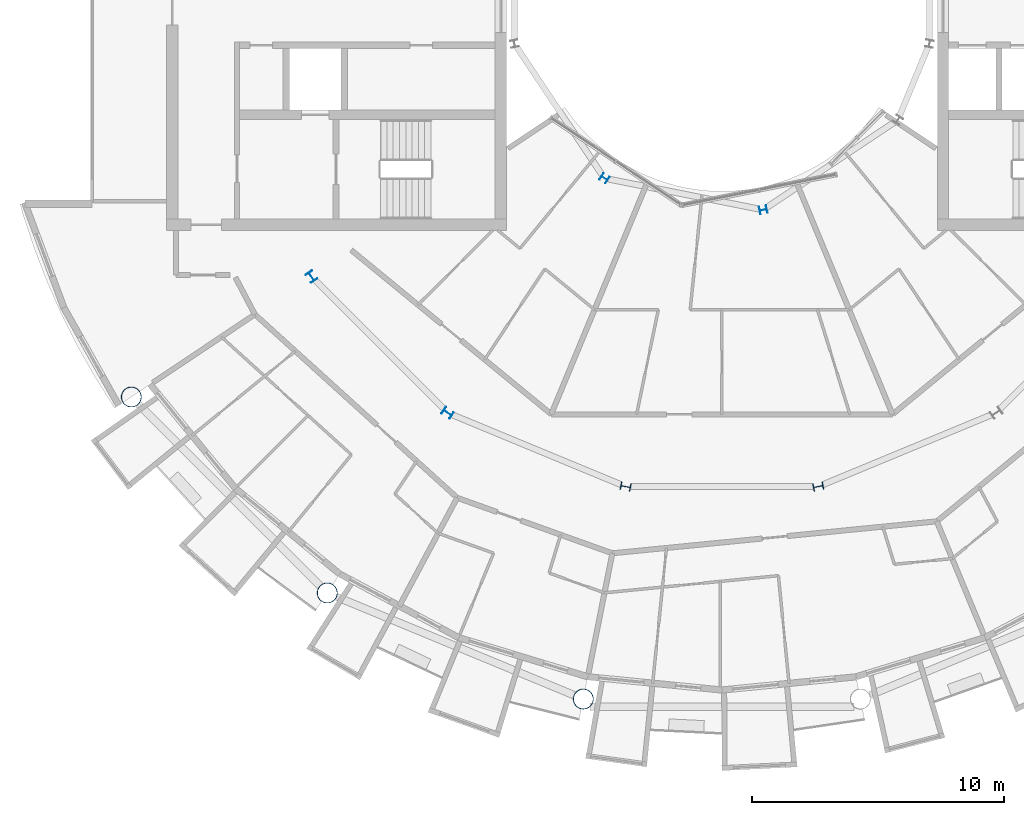
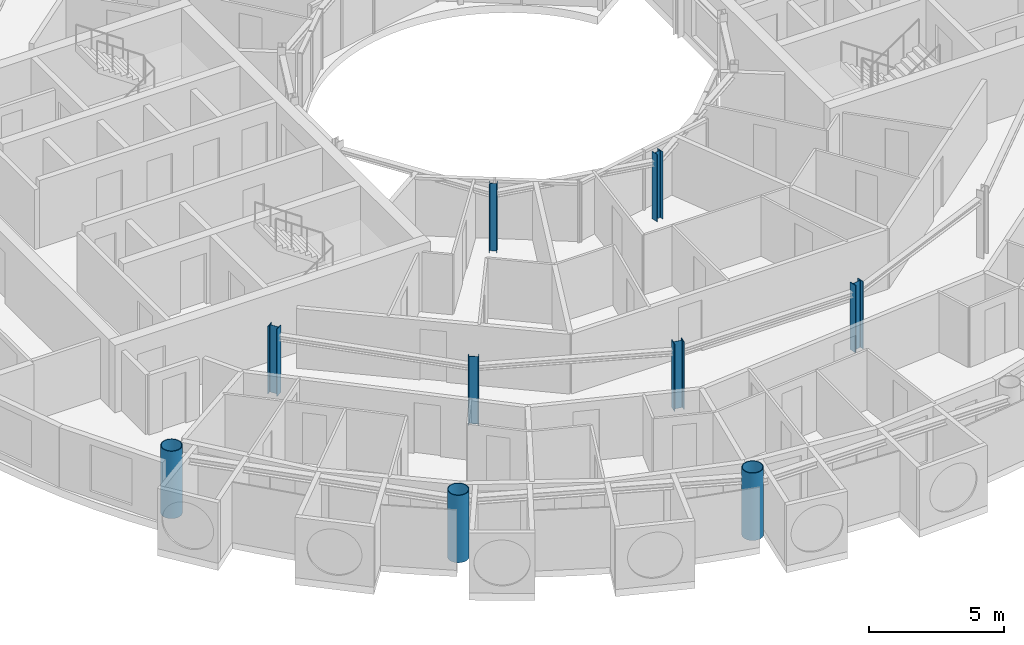
# One storey, part 1 of 29: 9 columns.
"""IFC4 building model written with IfcOpenShell, lengths in metres."""

from ifc_helpers import new_model, si_unit, direction, frame, origin, origin_2d, place, context, subcontext, project, spatial, hollow_circle, i_section, extrude, material, material_profile, profile_set, type_object, element, save


model = new_model("IFC4")

# Units and contexts
model_context = context("Model", 3, precision=1e-05, world=origin(), true_north=direction((0.0, 1.0)))
body_context = subcontext(model_context, "Body", "Model", "MODEL_VIEW")
ifc_project = project(units=[si_unit("LENGTHUNIT", "METRE"), si_unit("AREAUNIT", "SQUARE_METRE"), si_unit("VOLUMEUNIT", "CUBIC_METRE"), si_unit("PLANEANGLEUNIT", "RADIAN"), si_unit("MASSUNIT", "GRAM", prefix="KILO")], contexts=[model_context])

# Site, building, storey
site_placement = place(None, origin())
site = spatial("IfcSite", under=ifc_project, at=site_placement, CompositionType="ELEMENT")
building_placement = place(site_placement, origin())
building = spatial("IfcBuilding", under=site, at=building_placement, Name="Maasbend Ring Residences", CompositionType="ELEMENT")
storey_placement = place(building_placement, frame((0.0, 0.0, 202.39990234375)))
storey = spatial("IfcBuildingStorey", under=building, at=storey_placement, Name="L58", CompositionType="ELEMENT", Elevation=202.39990234375)

# Columns
ifc_material_1 = material(Name="Composite concrete-filled steel tube S460NH / C80/95", Category="concrete")
ifc_material_profile_1 = material_profile(ifc_material_1, hollow_circle(Radius=0.406494140625, WallThickness=0.030029296875, at=origin_2d()), Name="Composite tube column CHS 813x30")
ifc_profile_set_1 = profile_set([ifc_material_profile_1], Name="Composite concrete-filled steel tube S460NH / C80/95")
column_type_1 = type_object("IfcColumnType", Name="Composite tube column CHS 813x30", PredefinedType="COLUMN", material=ifc_profile_set_1)
for number, where, z_axis, x_axis, name in (
    (1, (-23.447509765625, -15.6669921875, 0.0), (0.0, 0.0, 1.0), (1.0, 0.0, 0.0), "Outer column R10"),
    (2, (-15.6669921875, -23.447509765625, 0.0), (0.0, 0.0, 1.0), (1.0, 0.0, 0.0), "Outer column R11"),
    (3, (-5.50146484375, -27.658203125, 0.0), (0.0, 0.0, 1.0), (1.0, 0.0, 0.0), "Outer column R12"),
):
    element("IfcColumn", number, at=place(storey_placement, frame(where, z_axis=z_axis, x_axis=x_axis)), inside=storey, type_object=column_type_1, Name=name, PredefinedType="COLUMN", context=body_context, shape_type="SweptSolid", body=[
        extrude(hollow_circle(Radius=0.406494140625, WallThickness=0.030029296875, at=origin_2d()), origin(), (0.0, 0.0, 1.0), 3.050048828125),
    ])
ifc_material_2 = material(Name="Steel S355J2", Category="steel")
ifc_material_profile_2 = material_profile(ifc_material_2, i_section(OverallWidth=0.300048828125, OverallDepth=0.2900390625, WebThickness=0.008544921875, FlangeThickness=0.013916015625, FilletRadius=0.027099609375, at=origin_2d()), Name="HEA 300")
ifc_profile_set_2 = profile_set([ifc_material_profile_2], Name="Steel S355J2")
column_type_2 = type_object("IfcColumnType", Name="Steel column HEA 300", PredefinedType="COLUMN", material=ifc_profile_set_2)
for number, where, z_axis, x_axis, name in (
    (4, (-4.666748046875, -6.984375, 0.0), (0.0, 0.0, 1.0), (-0.55557023302, -0.831469612303, 0.0), "Well ring column R11"),
    (5, (1.638916015625, -8.238525390625, 0.0), (0.0, 0.0, 1.0), (0.195090322016, -0.980785280403, 0.0), "Well ring column R13"),
):
    element("IfcColumn", number, at=place(storey_placement, frame(where, z_axis=z_axis, x_axis=x_axis)), inside=storey, type_object=column_type_2, Name=name, PredefinedType="COLUMN", context=body_context, shape_type="SweptSolid", body=[
        extrude(i_section(OverallWidth=0.300048828125, OverallDepth=0.2900390625, WebThickness=0.008544921875, FlangeThickness=0.013916015625, FilletRadius=0.027099609375, at=origin_2d()), origin(), (0.0, 0.0, 1.0), 3.050048828125),
    ])
ifc_material_3 = material(Name="Steel S355J2", Category="steel")
ifc_material_profile_3 = material_profile(ifc_material_3, i_section(OverallWidth=0.300048828125, OverallDepth=0.39990234375, WebThickness=0.013427734375, FlangeThickness=0.02392578125, FilletRadius=0.027099609375, at=origin_2d()), Name="HEB 400")
ifc_profile_set_3 = profile_set([ifc_material_profile_3], Name="Steel S355J2")
column_type_3 = type_object("IfcColumnType", Name="Steel column HEB 400", PredefinedType="COLUMN", material=ifc_profile_set_3)
for number, where, z_axis, x_axis, name in (
    (6, (-16.296875, -10.88916015625, 0.0), (0.0, 0.0, 1.0), (-0.831469612303, -0.55557023302, 0.0), "Corridor ring column R10"),
    (7, (-10.88916015625, -16.296875, 0.0), (0.0, 0.0, 1.0), (-0.55557023302, -0.831469612303, 0.0), "Corridor ring column R11"),
    (8, (-3.82373046875, -19.223388671875, 0.0), (0.0, 0.0, 1.0), (-0.195090322016, -0.980785280403, 0.0), "Corridor ring column R12"),
    (9, (3.82373046875, -19.223388671875, 0.0), (0.0, 0.0, 1.0), (0.195090322016, -0.980785280403, 0.0), "Corridor ring column R13"),
):
    element("IfcColumn", number, at=place(storey_placement, frame(where, z_axis=z_axis, x_axis=x_axis)), inside=storey, type_object=column_type_3, Name=name, PredefinedType="COLUMN", context=body_context, shape_type="SweptSolid", body=[
        extrude(i_section(OverallWidth=0.300048828125, OverallDepth=0.39990234375, WebThickness=0.013427734375, FlangeThickness=0.02392578125, FilletRadius=0.027099609375, at=origin_2d()), origin(), (0.0, 0.0, 1.0), 3.050048828125),
    ])

save(model, "model.ifc")
